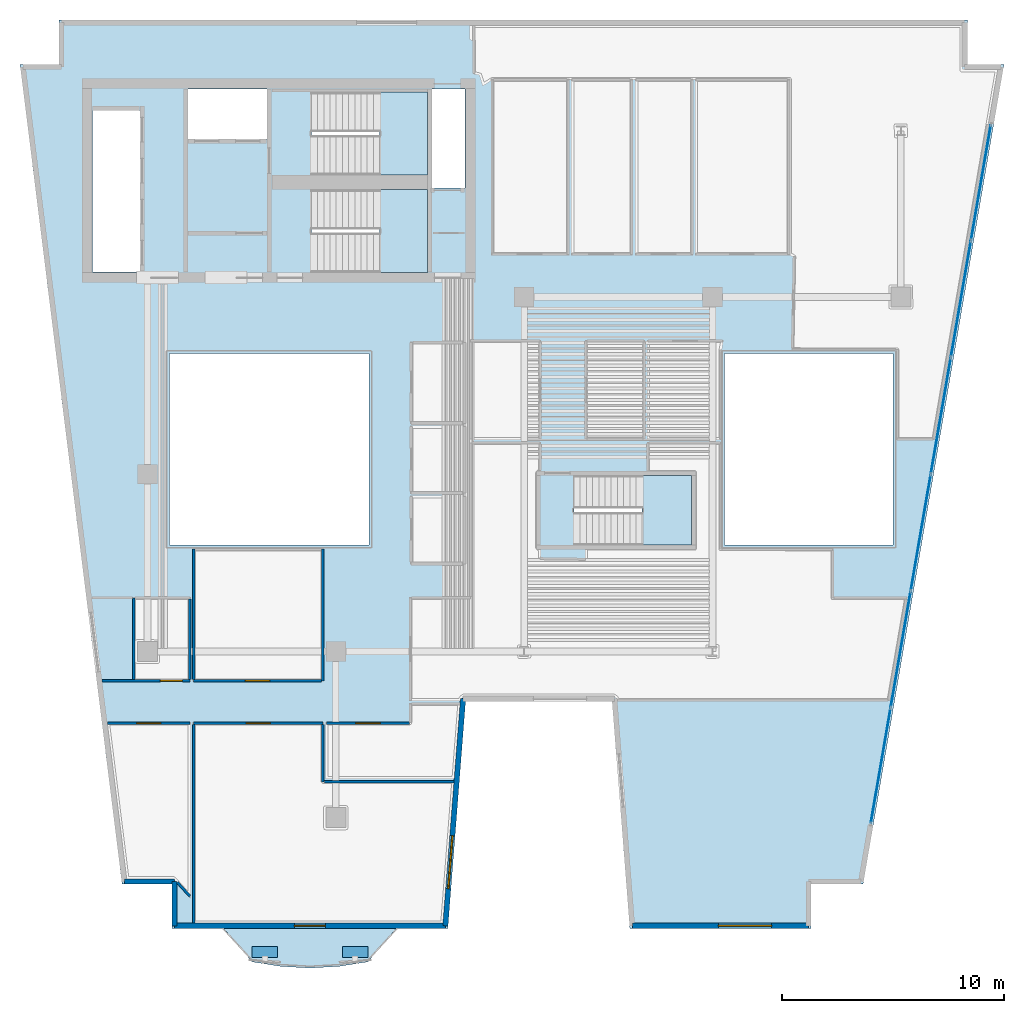
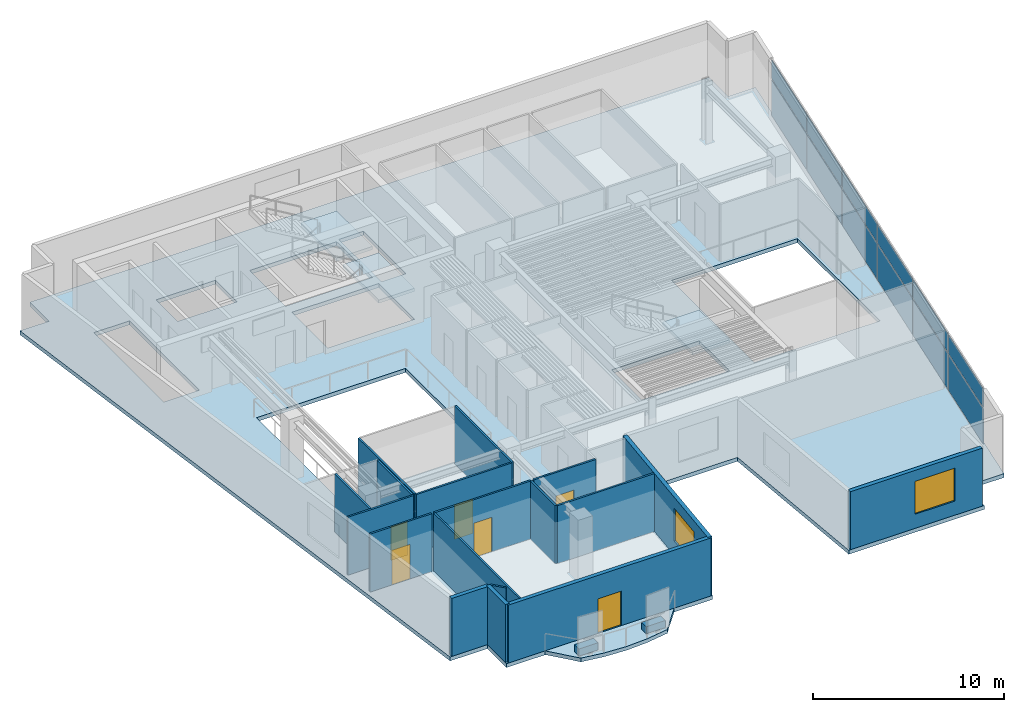
# One storey, part 3 of 10: 18 walls, 14 plates, 6 doors, 5 slabs, 2 windows, 8 openings, 4 elements without a shape of their own.
"""IFC4 building model written with IfcOpenShell, lengths in metres."""

from ifc_helpers import new_model, si_unit, direction, frame, frame_2d, origin, origin_2d, place, context, subcontext, project, spatial, polyline, rectangle, outline, extrude, material, layer, layer_set, type_object, element, fill, aggregate, save


model = new_model("IFC4")

# Units and contexts
model_context = context("Model", 3, precision=1e-05, world=origin(), true_north=direction((0.0, 1.0)))
body_context = subcontext(model_context, "Body", "Model", "MODEL_VIEW")
ifc_project = project(units=[si_unit("LENGTHUNIT", "METRE"), si_unit("AREAUNIT", "SQUARE_METRE"), si_unit("VOLUMEUNIT", "CUBIC_METRE"), si_unit("PLANEANGLEUNIT", "RADIAN"), si_unit("MASSUNIT", "GRAM", prefix="KILO")], contexts=[model_context])

# Site, building, storey
site_placement = place(None, origin())
site = spatial("IfcSite", under=ifc_project, at=site_placement, CompositionType="ELEMENT")
building_placement = place(site_placement, origin())
building = spatial("IfcBuilding", under=site, at=building_placement, Name="Caeloran Harvest Quay", CompositionType="ELEMENT")
storey_placement = place(building_placement, frame((0.0, 0.0, 223.25)))
storey = spatial("IfcBuildingStorey", under=building, at=storey_placement, Name="L53", CompositionType="ELEMENT", Elevation=223.25)

# Slab
ifc_material_1 = material(Name="Concrete C50/60", Category="concrete")
ifc_layer_1 = layer(ifc_material_1, 0.239990234375, Name="Concrete C50/60")
ifc_layer_set_1 = layer_set([ifc_layer_1], Name="Concrete C50/60")
slab_type_1 = type_object("IfcSlabType", Name="BALCONY-BL-240", PredefinedType="FLOOR", material=ifc_layer_set_1)
slab_1_placement = place(storey_placement, frame((0.0, 0.0, -0.239990234375)))
element("IfcSlab", 1, at=slab_1_placement, inside=storey, type_object=slab_type_1, Name="L53 Scalloped Cantilevered Planted Balcony Slab", PredefinedType="FLOOR", context=body_context, shape_type="SweptSolid", body=[
    extrude(outline(polyline([(18.442138671875, 0.992919921875), (17.13818359375, 0.789794921875), (15.83447265625, 0.7158203125), (14.53076171875, 0.789794921875), (13.226806640625, 0.992919921875), (11.940185546875, 2.5), (19.72900390625, 2.5), (18.442138671875, 0.992919921875)])), origin(), (0.0, 0.0, 1.0), 0.239990234375),
])

# Curtain wall, plates
ifc_material_2 = material(Name="Aluminium 6063-T6 and Low-E Glazing", Category="aluminium")
ifc_layer_2 = layer(ifc_material_2, 0.2099609375, Name="Aluminium 6063-T6 and Low-E Glazing")
ifc_layer_set_2 = layer_set([ifc_layer_2], Name="Aluminium 6063-T6 and Low-E Glazing")
curtain_wall_type = type_object("IfcCurtainWallType", Name="CW-SYS-CW-4", PredefinedType="USERDEFINED", material=ifc_layer_set_2)
curtain_wall_placement = place(storey_placement, origin())
curtain_wall = element("IfcCurtainWall", 2, at=curtain_wall_placement, inside=storey, type_object=curtain_wall_type, Name="L53 Unitised Curtain Wall CW-4 Run 9", ObjectType="CURTAIN_WALL", PredefinedType="USERDEFINED")
ifc_material_3 = material(Name="Low-E Double Glazed Vision Glass Unit", Category="glass")
ifc_layer_3 = layer(ifc_material_3, 0.035888671875, Name="Low-E Double Glazed Vision Glass Unit")
ifc_layer_set_3 = layer_set([ifc_layer_3], Name="Low-E Double Glazed Vision Glass Unit")
plate_type_1 = type_object("IfcPlateType", Name="CW-VISION-PANEL", PredefinedType="CURTAIN_PANEL", material=ifc_layer_set_3)
plate_1_placement = place(storey_placement, frame((46.116943359375, 36.16162109375, 0.080078125), z_axis=(0.0, 0.0, 1.0), x_axis=(-0.169391215605, -0.985548890759, 0.0)))
plate_1 = element("IfcPlate", 3, at=plate_1_placement, type_object=plate_type_1, Name="CW-4 panel 1.1", PredefinedType="CURTAIN_PANEL", context=body_context, shape_type="SweptSolid", body=[
    extrude(rectangle(XDim=5.229736328125, YDim=0.035888671875, at=origin_2d()), origin(), (0.0, 0.0, 1.0), 2.280029296875),
])
plate_2_placement = place(storey_placement, frame((46.116943359375, 36.16162109375, 2.43994140625), z_axis=(0.0, 0.0, 1.0), x_axis=(-0.169391215605, -0.985548890759, 0.0)))
plate_2 = element("IfcPlate", 4, at=plate_2_placement, type_object=plate_type_1, Name="CW-4 panel 1.2", PredefinedType="CURTAIN_PANEL", context=body_context, shape_type="SweptSolid", body=[
    extrude(rectangle(XDim=5.229736328125, YDim=0.035888671875, at=origin_2d()), origin(), (0.0, 0.0, 1.0), 1.179931640625),
])
plate_3_placement = place(storey_placement, frame((45.214111328125, 30.90869140625, 0.080078125), z_axis=(0.0, 0.0, 1.0), x_axis=(-0.169391215605, -0.985548890759, 0.0)))
plate_3 = element("IfcPlate", 5, at=plate_3_placement, type_object=plate_type_1, Name="CW-4 panel 2.1", PredefinedType="CURTAIN_PANEL", context=body_context, shape_type="SweptSolid", body=[
    extrude(rectangle(XDim=5.269775390625, YDim=0.035888671875, at=origin_2d()), origin(), (0.0, 0.0, 1.0), 2.280029296875),
])
plate_4_placement = place(storey_placement, frame((45.214111328125, 30.90869140625, 2.43994140625), z_axis=(0.0, 0.0, 1.0), x_axis=(-0.169391215605, -0.985548890759, 0.0)))
plate_4 = element("IfcPlate", 6, at=plate_4_placement, type_object=plate_type_1, Name="CW-4 panel 2.2", PredefinedType="CURTAIN_PANEL", context=body_context, shape_type="SweptSolid", body=[
    extrude(rectangle(XDim=5.269775390625, YDim=0.035888671875, at=origin_2d()), origin(), (0.0, 0.0, 1.0), 1.179931640625),
])
plate_5_placement = place(storey_placement, frame((44.307861328125, 25.63623046875, 0.080078125), z_axis=(0.0, 0.0, 1.0), x_axis=(-0.169391215605, -0.985548890759, 0.0)))
plate_5 = element("IfcPlate", 7, at=plate_5_placement, type_object=plate_type_1, Name="CW-4 panel 3.1", PredefinedType="CURTAIN_PANEL", context=body_context, shape_type="SweptSolid", body=[
    extrude(rectangle(XDim=5.269775390625, YDim=0.035888671875, at=origin_2d()), origin(), (0.0, 0.0, 1.0), 2.280029296875),
])
plate_6_placement = place(storey_placement, frame((44.307861328125, 25.63623046875, 2.43994140625), z_axis=(0.0, 0.0, 1.0), x_axis=(-0.169391215605, -0.985548890759, 0.0)))
plate_6 = element("IfcPlate", 8, at=plate_6_placement, type_object=plate_type_1, Name="CW-4 panel 3.2", PredefinedType="CURTAIN_PANEL", context=body_context, shape_type="SweptSolid", body=[
    extrude(rectangle(XDim=5.269775390625, YDim=0.035888671875, at=origin_2d()), origin(), (0.0, 0.0, 1.0), 1.179931640625),
])
plate_7_placement = place(storey_placement, frame((43.401611328125, 20.36376953125, 0.080078125), z_axis=(0.0, 0.0, 1.0), x_axis=(-0.169391215605, -0.985548890759, 0.0)))
plate_7 = element("IfcPlate", 9, at=plate_7_placement, type_object=plate_type_1, Name="CW-4 panel 4.1", PredefinedType="CURTAIN_PANEL", context=body_context, shape_type="SweptSolid", body=[
    extrude(rectangle(XDim=5.269775390625, YDim=0.035888671875, at=origin_2d()), origin(), (0.0, 0.0, 1.0), 2.280029296875),
])
plate_8_placement = place(storey_placement, frame((43.401611328125, 20.36376953125, 2.43994140625), z_axis=(0.0, 0.0, 1.0), x_axis=(-0.169391215605, -0.985548890759, 0.0)))
plate_8 = element("IfcPlate", 10, at=plate_8_placement, type_object=plate_type_1, Name="CW-4 panel 4.2", PredefinedType="CURTAIN_PANEL", context=body_context, shape_type="SweptSolid", body=[
    extrude(rectangle(XDim=5.269775390625, YDim=0.035888671875, at=origin_2d()), origin(), (0.0, 0.0, 1.0), 1.179931640625),
])
plate_9_placement = place(storey_placement, frame((42.495361328125, 15.09130859375, 0.080078125), z_axis=(0.0, 0.0, 1.0), x_axis=(-0.169391215605, -0.985548890759, 0.0)))
plate_9 = element("IfcPlate", 11, at=plate_9_placement, type_object=plate_type_1, Name="CW-4 panel 5.1", PredefinedType="CURTAIN_PANEL", context=body_context, shape_type="SweptSolid", body=[
    extrude(rectangle(XDim=5.269775390625, YDim=0.035888671875, at=origin_2d()), origin(), (0.0, 0.0, 1.0), 2.280029296875),
])
plate_10_placement = place(storey_placement, frame((42.495361328125, 15.09130859375, 2.43994140625), z_axis=(0.0, 0.0, 1.0), x_axis=(-0.169391215605, -0.985548890759, 0.0)))
plate_10 = element("IfcPlate", 12, at=plate_10_placement, type_object=plate_type_1, Name="CW-4 panel 5.2", PredefinedType="CURTAIN_PANEL", context=body_context, shape_type="SweptSolid", body=[
    extrude(rectangle(XDim=5.269775390625, YDim=0.035888671875, at=origin_2d()), origin(), (0.0, 0.0, 1.0), 1.179931640625),
])
plate_11_placement = place(storey_placement, frame((41.592529296875, 9.83837890625, 0.080078125), z_axis=(0.0, 0.0, 1.0), x_axis=(-0.169391215605, -0.985548890759, 0.0)))
plate_11 = element("IfcPlate", 13, at=plate_11_placement, type_object=plate_type_1, Name="CW-4 panel 6.1", PredefinedType="CURTAIN_PANEL", context=body_context, shape_type="SweptSolid", body=[
    extrude(rectangle(XDim=5.229736328125, YDim=0.035888671875, at=origin_2d()), origin(), (0.0, 0.0, 1.0), 2.280029296875),
])
plate_12_placement = place(storey_placement, frame((41.592529296875, 9.83837890625, 2.43994140625), z_axis=(0.0, 0.0, 1.0), x_axis=(-0.169391215605, -0.985548890759, 0.0)))
plate_12 = element("IfcPlate", 14, at=plate_12_placement, type_object=plate_type_1, Name="CW-4 panel 6.2", PredefinedType="CURTAIN_PANEL", context=body_context, shape_type="SweptSolid", body=[
    extrude(rectangle(XDim=5.229736328125, YDim=0.035888671875, at=origin_2d()), origin(), (0.0, 0.0, 1.0), 1.179931640625),
])
aggregate(curtain_wall, [plate_1, plate_2, plate_3, plate_4, plate_5, plate_6, plate_7, plate_8, plate_9, plate_10, plate_11, plate_12])

# Plates
ifc_material_4 = material(Name="Precast concrete C50/60", Category="concrete")
ifc_layer_4 = layer(ifc_material_4, 0.449951171875, Name="Precast concrete C50/60")
ifc_layer_set_4 = layer_set([ifc_layer_4], Name="Precast concrete C50/60")
plate_type_2 = type_object("IfcPlateType", Name="PLANTER-TROUGH-450", PredefinedType="USERDEFINED", material=ifc_layer_set_4)
for number, where, z_axis, x_axis, name in (
    (15, (17.868408203125, 1.439208984375, 0.0), (0.0, 0.0, 1.0), (1.0, 0.0, 0.0), "L53 Balcony Vertical-Greenery Precast PLANTER Trough 1"),
    (16, (13.800537109375, 1.439208984375, 0.0), (0.0, 0.0, 1.0), (1.0, 0.0, 0.0), "L53 Balcony Vertical-Greenery Precast PLANTER Trough 2"),
):
    element("IfcPlate", number, at=place(storey_placement, frame(where, z_axis=z_axis, x_axis=x_axis)), inside=storey, type_object=plate_type_2, Name=name, ObjectType="PLANTER", PredefinedType="USERDEFINED", context=body_context, shape_type="SweptSolid", body=[
        extrude(rectangle(XDim=1.14990234375, YDim=0.47998046875, at=origin_2d()), origin(), (0.0, 0.0, 1.0), 0.449951171875),
    ])

# Slab
ifc_layer_5 = layer(ifc_material_1, 0.25, Name="Concrete C50/60")
ifc_layer_set_5 = layer_set([ifc_layer_5], Name="Concrete C50/60")
slab_type_2 = type_object("IfcSlabType", Name="SLAB-FS-250", PredefinedType="FLOOR", material=ifc_layer_set_5)
slab_2_placement = place(storey_placement, frame((0.0, 0.0, -0.25)))
element("IfcSlab", 17, at=slab_2_placement, inside=storey, type_object=slab_type_2, Name="L53 Structural Floor Slab", PredefinedType="FLOOR", context=body_context, shape_type="SweptSolid", body=[
    extrude(outline(polyline([(9.60302734375, 2.5), (22.056884765625, 2.5), (22.85693359375, 12.75), (29.469482421875, 12.75), (30.26953125, 2.5), (38.452880859375, 2.5), (38.452880859375, 4.5), (40.796875, 4.5), (47.15625, 41.5), (45.5, 41.5), (45.5, 43.5), (4.5, 43.5), (4.5, 41.5), (2.748779296875, 41.5), (7.35400390625, 4.5), (9.60302734375, 4.5), (9.60302734375, 2.5)]), holes=[polyline([(27.75, 19.800048828125), (27.75, 22.949951171875), (33.050048828125, 22.949951171875), (33.050048828125, 19.800048828125), (27.75, 19.800048828125)]), polyline([(18.5, 19.800048828125), (9.5, 19.800048828125), (9.5, 28.449951171875), (18.5, 28.449951171875), (18.5, 19.800048828125)]), polyline([(42.14990234375, 19.800048828125), (34.550048828125, 19.800048828125), (34.550048828125, 28.449951171875), (42.14990234375, 28.449951171875), (42.14990234375, 19.800048828125)]), polyline([(15.89990234375, 32.10009765625), (15.89990234375, 35.85009765625), (21.14990234375, 35.85009765625), (21.14990234375, 32.10009765625), (15.89990234375, 32.10009765625)]), polyline([(8.159912109375, 32.1201171875), (6.02001953125, 32.1201171875), (6.02001953125, 39.419921875), (8.159912109375, 39.419921875), (8.159912109375, 32.1201171875)]), polyline([(22.830078125, 35.919921875), (21.35009765625, 35.919921875), (21.35009765625, 40.3798828125), (22.830078125, 40.3798828125), (22.830078125, 35.919921875)]), polyline([(15.89990234375, 36.5), (15.89990234375, 40.25), (21.14990234375, 40.25), (21.14990234375, 36.5), (15.89990234375, 36.5)]), polyline([(13.89990234375, 38.1201171875), (10.320068359375, 38.1201171875), (10.320068359375, 40.3798828125), (13.89990234375, 40.3798828125), (13.89990234375, 38.1201171875)])]), origin(), (0.0, 0.0, 1.0), 0.25),
])

# Stair, slab
stair_type_1 = type_object("IfcStairType", Name="STAIR-STC-180", PredefinedType="HALF_TURN_STAIR", material=ifc_material_1)
stair_1_placement = place(storey_placement, origin())
stair_1 = element("IfcStair", 18, at=stair_1_placement, inside=storey, type_object=stair_type_1, Name="L53 Core Pressurized Exit Stair ST-C1", PredefinedType="HALF_TURN_STAIR")
ifc_layer_6 = layer(ifc_material_1, 0.219970703125, Name="Concrete C50/60")
ifc_layer_set_6 = layer_set([ifc_layer_6], Name="Concrete C50/60")
slab_type_3 = type_object("IfcSlabType", Name="STAIR-LANDING-220", PredefinedType="LANDING", material=ifc_layer_set_6)
slab_3_placement = place(storey_placement, frame((0.0, 0.0, 1.77490234375)))
slab_3 = element("IfcSlab", 19, at=slab_3_placement, type_object=slab_type_3, Name="ST-C1 landing 1", PredefinedType="LANDING", context=body_context, shape_type="SweptSolid", body=[
    extrude(outline(polyline([(18.97998046875, 36.5), (21.14990234375, 36.5), (21.14990234375, 40.25), (18.97998046875, 40.25), (18.97998046875, 36.5)])), origin(), (0.0, 0.0, 1.0), 0.2001953125),
])
aggregate(stair_1, [slab_3])

stair_2_placement = place(storey_placement, origin())
stair_2 = element("IfcStair", 20, at=stair_2_placement, inside=storey, type_object=stair_type_1, Name="L53 Core Pressurized Exit Stair ST-C2", PredefinedType="HALF_TURN_STAIR")
slab_4_placement = place(storey_placement, frame((0.0, 0.0, 1.77490234375)))
slab_4 = element("IfcSlab", 21, at=slab_4_placement, type_object=slab_type_3, Name="ST-C2 landing 1", PredefinedType="LANDING", context=body_context, shape_type="SweptSolid", body=[
    extrude(outline(polyline([(18.97998046875, 32.10009765625), (21.14990234375, 32.10009765625), (21.14990234375, 35.85009765625), (18.97998046875, 35.85009765625), (18.97998046875, 32.10009765625)])), origin(), (0.0, 0.0, 1.0), 0.2001953125),
])
aggregate(stair_2, [slab_4])

stair_type_2 = type_object("IfcStairType", Name="STAIR-STW-150", PredefinedType="HALF_TURN_STAIR", material=ifc_material_1)
stair_3_placement = place(storey_placement, origin())
stair_3 = element("IfcStair", 22, at=stair_3_placement, inside=storey, type_object=stair_type_2, Name="L53 East Wing Protected Exit Stair ST-W1", PredefinedType="HALF_TURN_STAIR")
slab_5_placement = place(storey_placement, frame((0.0, 0.0, 1.77490234375)))
slab_5 = element("IfcSlab", 23, at=slab_5_placement, type_object=slab_type_3, Name="ST-W1 landing 1", PredefinedType="LANDING", context=body_context, shape_type="SweptSolid", body=[
    extrude(outline(polyline([(30.830078125, 19.800048828125), (33.050048828125, 19.800048828125), (33.050048828125, 22.949951171875), (30.830078125, 22.949951171875), (30.830078125, 19.800048828125)])), origin(), (0.0, 0.0, 1.0), 0.2001953125),
])
aggregate(stair_3, [slab_5])

# Walls
ifc_layer_7 = layer(ifc_material_4, 0.239990234375, Name="Precast concrete C50/60")
ifc_layer_set_7 = layer_set([ifc_layer_7], Name="Precast concrete C50/60")
wall_type_1 = type_object("IfcWallType", Name="ENV-WALL-EW-240", PredefinedType="STANDARD", material=ifc_layer_set_7)
wall_1_placement = place(storey_placement, frame((9.722900390625, 2.6201171875, 0.0), z_axis=(0.0, 0.0, 1.0), x_axis=(0.0, 1.0, 0.0)))
element("IfcWall", 24, at=wall_1_placement, inside=storey, type_object=wall_type_1, Name="L53 Exterior Precast Concrete Facade Wall 1", PredefinedType="STANDARD", context=body_context, shape_type="SweptSolid", body=[
    extrude(rectangle(XDim=2.0, YDim=0.239990234375, at=frame_2d((1.0, 0.0))), origin(), (0.0, 0.0, 1.0), 3.699951171875),
])
wall_2_placement = place(storey_placement, frame((9.722900390625, 4.6201171875, 0.0), z_axis=(0.0, 0.0, 1.0), x_axis=(-1.0, 0.0, 0.0)))
element("IfcWall", 25, at=wall_2_placement, inside=storey, type_object=wall_type_1, Name="L53 Exterior Precast Concrete Facade Wall 2", PredefinedType="STANDARD", context=body_context, shape_type="SweptSolid", body=[
    extrude(rectangle(XDim=2.2626953125, YDim=0.239990234375, at=frame_2d((1.13134765625, 0.0))), origin(), (0.0, 0.0, 1.0), 3.699951171875),
])

# Wall, opening, window
wall_3_placement = place(storey_placement, frame((38.3330078125, 2.6201171875, 0.0), z_axis=(0.0, 0.0, 1.0), x_axis=(-1.0, 0.0, 0.0)))
wall_3 = element("IfcWall", 26, at=wall_3_placement, inside=storey, type_object=wall_type_1, Name="L53 Exterior Precast Concrete Facade Wall 12", PredefinedType="STANDARD", context=body_context, shape_type="SweptSolid", body=[
    extrude(rectangle(XDim=7.952392578125, YDim=0.239990234375, at=frame_2d((3.97607421875, 0.0))), origin(), (0.0, 0.0, 1.0), 3.699951171875),
])
opening_1_placement = place(wall_3_placement, frame((1.6630859375, 0.0, 0.89990234375)))
opening_1 = element("IfcOpeningElement", 27, at=opening_1_placement, cuts=wall_3, Name="Opening W-02", PredefinedType="OPENING", context=body_context, shape_type="SweptSolid", body=[
    extrude(rectangle(XDim=2.39990234375, YDim=2.10009765625, at=frame_2d((1.199951171875, 1.050048828125))), frame((0.0, 0.1298828125, 0.0), z_axis=(0.0, -1.0, 0.0), x_axis=(1.0, 0.0, 0.0)), (0.0, 0.0, 1.0), 0.260009765625),
])
ifc_material_5 = material(Name="Aluminium-Framed Low-E Laminated Glass", Category="aluminium")
window_type = type_object("IfcWindowType", Name="WIN-W-02", PartitioningType="DOUBLE_PANEL_VERTICAL", PredefinedType="WINDOW", material=ifc_material_5)
window_1_placement = place(opening_1_placement, origin())
window_1 = element("IfcWindow", 28, at=window_1_placement, inside=storey, type_object=window_type, Name="L53 Facade Punched Window W-02", OverallHeight=2.10009765625, OverallWidth=2.39990234375, PartitioningType="DOUBLE_PANEL_VERTICAL", PredefinedType="WINDOW", context=body_context, shape_type="SweptSolid", body=[
    extrude(rectangle(XDim=2.39990234375, YDim=2.10009765625, at=frame_2d((1.199951171875, 1.050048828125))), frame((0.0, 0.030029296875, 0.0), z_axis=(0.0, -1.0, 0.0), x_axis=(1.0, 0.0, 0.0)), (0.0, 0.0, 1.0), 0.06005859375),
])
fill(opening_1, window_1)

wall_4_placement = place(storey_placement, frame((22.74609375, 12.8701171875, 0.0), z_axis=(0.0, 0.0, 1.0), x_axis=(-0.077816860153, -0.996967670627, 0.0)))
wall_4 = element("IfcWall", 29, at=wall_4_placement, inside=storey, type_object=wall_type_1, Name="L53 Exterior Precast Concrete Facade Wall 15", PredefinedType="STANDARD", context=body_context, shape_type="SweptSolid", body=[
    extrude(rectangle(XDim=10.28125, YDim=0.239990234375, at=frame_2d((5.140625, 0.0))), origin(), (0.0, 0.0, 1.0), 3.699951171875),
])
opening_2_placement = place(wall_4_placement, frame((6.201904296875, 0.0, 0.89990234375)))
opening_2 = element("IfcOpeningElement", 30, at=opening_2_placement, cuts=wall_4, Name="Opening W-02", PredefinedType="OPENING", context=body_context, shape_type="SweptSolid", body=[
    extrude(rectangle(XDim=2.39990234375, YDim=2.10009765625, at=frame_2d((1.199951171875, 1.050048828125))), frame((0.0, 0.1298828125, 0.0), z_axis=(0.0, -1.0, 0.0), x_axis=(1.0, 0.0, 0.0)), (0.0, 0.0, 1.0), 0.260009765625),
])
window_2_placement = place(opening_2_placement, origin())
window_2 = element("IfcWindow", 31, at=window_2_placement, inside=storey, type_object=window_type, Name="L53 Facade Punched Window W-02", OverallHeight=2.10009765625, OverallWidth=2.39990234375, PartitioningType="DOUBLE_PANEL_VERTICAL", PredefinedType="WINDOW", context=body_context, shape_type="SweptSolid", body=[
    extrude(rectangle(XDim=2.39990234375, YDim=2.10009765625, at=frame_2d((1.199951171875, 1.050048828125))), frame((0.0, 0.030029296875, 0.0), z_axis=(0.0, -1.0, 0.0), x_axis=(1.0, 0.0, 0.0)), (0.0, 0.0, 1.0), 0.06005859375),
])
fill(opening_2, window_2)

# Wall, opening, door
wall_5_placement = place(storey_placement, frame((21.946044921875, 2.6201171875, 0.0), z_axis=(0.0, 0.0, 1.0), x_axis=(-1.0, 0.0, 0.0)))
wall_5 = element("IfcWall", 32, at=wall_5_placement, inside=storey, type_object=wall_type_1, Name="L53 Exterior Precast Concrete Facade Wall 16", PredefinedType="STANDARD", context=body_context, shape_type="SweptSolid", body=[
    extrude(rectangle(XDim=12.22314453125, YDim=0.239990234375, at=frame_2d((6.111572265625, 0.0))), origin(), (0.0, 0.0, 1.0), 3.699951171875),
])
opening_3_placement = place(wall_5_placement, frame((5.410888671875, 0.0, 0.0)))
opening_3 = element("IfcOpeningElement", 33, at=opening_3_placement, cuts=wall_5, Name="Opening BD-02", PredefinedType="OPENING", context=body_context, shape_type="SweptSolid", body=[
    extrude(rectangle(XDim=1.39990234375, YDim=2.199951171875, at=frame_2d((0.699951171875, 1.10009765625))), frame((0.0, 0.1298828125, 0.0), z_axis=(0.0, -1.0, 0.0), x_axis=(1.0, 0.0, 0.0)), (0.0, 0.0, 1.0), 0.260009765625),
])
ifc_material_6 = material(Name="Thermally Broken Powder-Coated Aluminium and Safety Glass", Category="aluminium")
door_type_1 = type_object("IfcDoorType", Name="EXTDOOR-BD-02", OperationType="NOTDEFINED", PredefinedType="DOOR", material=ifc_material_6)
door_1_placement = place(opening_3_placement, origin())
door_1 = element("IfcDoor", 34, at=door_1_placement, inside=storey, type_object=door_type_1, Name="L53 Planted Balcony Glazed Access Door", OperationType="SINGLE_SWING_RIGHT", OverallHeight=2.199951171875, OverallWidth=1.39990234375, PredefinedType="DOOR", context=body_context, shape_type="SweptSolid", body=[
    extrude(rectangle(XDim=1.39990234375, YDim=2.199951171875, at=frame_2d((0.699951171875, 1.10009765625))), frame((0.0, 0.02490234375, 0.0), z_axis=(0.0, -1.0, 0.0), x_axis=(1.0, 0.0, 0.0)), (0.0, 0.0, 1.0), 0.050048828125),
])
fill(opening_3, door_1)

ifc_material_7 = material(Name="Single-Stud Acoustic Gypsum Office Partition", Category="gypsum")
ifc_layer_8 = layer(ifc_material_7, 0.112060546875, Name="Single-Stud Acoustic Gypsum Office Partition")
ifc_layer_set_8 = layer_set([ifc_layer_8], Name="Single-Stud Acoustic Gypsum Office Partition")
wall_type_2 = type_object("IfcWallType", Name="INT-WALL-PW-112", PredefinedType="PARTITIONING", material=ifc_layer_set_8)
wall_6_placement = place(storey_placement, frame((10.580078125, 11.77001953125, 0.0), z_axis=(0.0, 0.0, 1.0), x_axis=(1.0, 0.0, 0.0)))
wall_6 = element("IfcWall", 35, at=wall_6_placement, inside=storey, type_object=wall_type_2, Name="Clean-Tech Venture Studio Partition Wall", PredefinedType="PARTITIONING", context=body_context, shape_type="SweptSolid", body=[
    extrude(rectangle(XDim=5.83984375, YDim=0.112060546875, at=frame_2d((2.919921875, 0.0))), origin(), (0.0, 0.0, 1.0), 3.699951171875),
])
opening_4_placement = place(wall_6_placement, frame((2.3701171875, 0.0, 0.0)))
opening_4 = element("IfcOpeningElement", 36, at=opening_4_placement, cuts=wall_6, Name="Opening ID-04", PredefinedType="OPENING", context=body_context, shape_type="SweptSolid", body=[
    extrude(rectangle(XDim=1.10009765625, YDim=2.199951171875, at=frame_2d((0.550048828125, 1.10009765625))), frame((0.0, 0.06591796875, 0.0), z_axis=(0.0, -1.0, 0.0), x_axis=(1.0, 0.0, 0.0)), (0.0, 0.0, 1.0), 0.132080078125),
])
ifc_material_8 = material(Name="Acoustic Walnut Veneer Executive Door", Category="wood")
door_type_2 = type_object("IfcDoorType", Name="INTDOOR-ID-04", OperationType="NOTDEFINED", PredefinedType="DOOR", material=ifc_material_8)
door_2_placement = place(opening_4_placement, origin())
door_2 = element("IfcDoor", 37, at=door_2_placement, inside=storey, type_object=door_type_2, Name="Clean-Tech Venture Studio Access Door", OperationType="SINGLE_SWING_RIGHT", OverallHeight=2.199951171875, OverallWidth=1.10009765625, PredefinedType="DOOR", context=body_context, shape_type="SweptSolid", body=[
    extrude(rectangle(XDim=1.10009765625, YDim=2.199951171875, at=frame_2d((0.550048828125, 1.10009765625))), frame((0.0, 0.02490234375, 0.0), z_axis=(0.0, -1.0, 0.0), x_axis=(1.0, 0.0, 0.0)), (0.0, 0.0, 1.0), 0.050048828125),
])
fill(opening_4, door_2)

# Walls
wall_7_placement = place(storey_placement, frame((16.419921875, 11.708984375, 0.0), z_axis=(0.0, 0.0, 1.0), x_axis=(0.0, -1.0, 0.0)))
element("IfcWall", 38, at=wall_7_placement, inside=storey, type_object=wall_type_2, Name="Clean-Tech Venture Studio Partition Wall", PredefinedType="PARTITIONING", context=body_context, shape_type="SweptSolid", body=[
    extrude(rectangle(XDim=2.5888671875, YDim=0.112060546875, at=frame_2d((1.29443359375, 0.0))), origin(), (0.0, 0.0, 1.0), 3.699951171875),
])
wall_8_placement = place(storey_placement, frame((16.48095703125, 9.1201171875, 0.0), z_axis=(0.0, 0.0, 1.0), x_axis=(1.0, 0.0, 0.0)))
element("IfcWall", 39, at=wall_8_placement, inside=storey, type_object=wall_type_2, Name="Clean-Tech Venture Studio Partition Wall", PredefinedType="PARTITIONING", context=body_context, shape_type="SweptSolid", body=[
    extrude(rectangle(XDim=5.846923828125, YDim=0.112060546875, at=frame_2d((2.92333984375, 0.0))), origin(), (0.0, 0.0, 1.0), 3.699951171875),
])
wall_9_placement = place(storey_placement, frame((10.580078125, 2.7451171875, 0.0), z_axis=(0.0, 0.0, 1.0), x_axis=(0.0, 1.0, 0.0)))
element("IfcWall", 40, at=wall_9_placement, inside=storey, type_object=wall_type_2, Name="Clean-Tech Venture Studio Partition Wall", PredefinedType="PARTITIONING", context=body_context, shape_type="SweptSolid", body=[
    extrude(rectangle(XDim=8.9638671875, YDim=0.112060546875, at=frame_2d((4.48193359375, 0.0))), origin(), (0.0, 0.0, 1.0), 3.699951171875),
])
wall_10_placement = place(storey_placement, frame((10.419921875, 3.955078125, 0.0), z_axis=(0.0, 0.0, 1.0), x_axis=(-0.671145806114, 0.741325371841, 0.0)))
element("IfcWall", 41, at=wall_10_placement, inside=storey, type_object=wall_type_2, Name="Portfolio Catering Kitchen Partition Wall", PredefinedType="PARTITIONING", context=body_context, shape_type="SweptSolid", body=[
    extrude(rectangle(XDim=0.852294921875, YDim=0.112060546875, at=frame_2d((0.42626953125, 0.0))), origin(), (0.0, 0.0, 1.0), 3.699951171875),
])

# Wall, opening, door
wall_11_placement = place(storey_placement, frame((6.696044921875, 11.77001953125, 0.0), z_axis=(0.0, 0.0, 1.0), x_axis=(1.0, 0.0, 0.0)))
wall_11 = element("IfcWall", 42, at=wall_11_placement, inside=storey, type_object=wall_type_2, Name="Portfolio Catering Kitchen Partition Wall", PredefinedType="PARTITIONING", context=body_context, shape_type="SweptSolid", body=[
    extrude(rectangle(XDim=3.723876953125, YDim=0.112060546875, at=frame_2d((1.86181640625, 0.0))), origin(), (0.0, 0.0, 1.0), 3.699951171875),
])
opening_5_placement = place(wall_11_placement, frame((1.31201171875, 0.0, 0.0)))
opening_5 = element("IfcOpeningElement", 43, at=opening_5_placement, cuts=wall_11, Name="Opening ID-04", PredefinedType="OPENING", context=body_context, shape_type="SweptSolid", body=[
    extrude(rectangle(XDim=1.10009765625, YDim=2.199951171875, at=frame_2d((0.550048828125, 1.10009765625))), frame((0.0, 0.06591796875, 0.0), z_axis=(0.0, -1.0, 0.0), x_axis=(1.0, 0.0, 0.0)), (0.0, 0.0, 1.0), 0.132080078125),
])
door_3_placement = place(opening_5_placement, origin())
door_3 = element("IfcDoor", 44, at=door_3_placement, inside=storey, type_object=door_type_2, Name="Portfolio Catering Kitchen Access Door", OperationType="SINGLE_SWING_LEFT", OverallHeight=2.199951171875, OverallWidth=1.10009765625, PredefinedType="DOOR", context=body_context, shape_type="SweptSolid", body=[
    extrude(rectangle(XDim=1.10009765625, YDim=2.199951171875, at=frame_2d((0.550048828125, 1.10009765625))), frame((0.0, 0.02490234375, 0.0), z_axis=(0.0, -1.0, 0.0), x_axis=(1.0, 0.0, 0.0)), (0.0, 0.0, 1.0), 0.050048828125),
])
fill(opening_5, door_3)

wall_12_placement = place(storey_placement, frame((16.580078125, 11.77001953125, 0.0), z_axis=(0.0, 0.0, 1.0), x_axis=(1.0, 0.0, 0.0)))
wall_12 = element("IfcWall", 45, at=wall_12_placement, inside=storey, type_object=wall_type_2, Name="Due-Diligence Meeting Hall Partition Wall", PredefinedType="PARTITIONING", context=body_context, shape_type="SweptSolid", body=[
    extrude(rectangle(XDim=3.739990234375, YDim=0.112060546875, at=frame_2d((1.8701171875, 0.0))), origin(), (0.0, 0.0, 1.0), 3.699951171875),
])
opening_6_placement = place(wall_12_placement, frame((1.320068359375, 0.0, 0.0)))
opening_6 = element("IfcOpeningElement", 46, at=opening_6_placement, cuts=wall_12, Name="Opening ID-04", PredefinedType="OPENING", context=body_context, shape_type="SweptSolid", body=[
    extrude(rectangle(XDim=1.10009765625, YDim=2.199951171875, at=frame_2d((0.550048828125, 1.10009765625))), frame((0.0, 0.06591796875, 0.0), z_axis=(0.0, -1.0, 0.0), x_axis=(1.0, 0.0, 0.0)), (0.0, 0.0, 1.0), 0.132080078125),
])
door_4_placement = place(opening_6_placement, origin())
door_4 = element("IfcDoor", 47, at=door_4_placement, inside=storey, type_object=door_type_2, Name="Due-Diligence Meeting Hall Access Door", OperationType="SINGLE_SWING_RIGHT", OverallHeight=2.199951171875, OverallWidth=1.10009765625, PredefinedType="DOOR", context=body_context, shape_type="SweptSolid", body=[
    extrude(rectangle(XDim=1.10009765625, YDim=2.199951171875, at=frame_2d((0.550048828125, 1.10009765625))), frame((0.0, 0.02490234375, 0.0), z_axis=(0.0, -1.0, 0.0), x_axis=(1.0, 0.0, 0.0)), (0.0, 0.0, 1.0), 0.050048828125),
])
fill(opening_6, door_4)

wall_13_placement = place(storey_placement, frame((10.419921875, 13.679931640625, 0.0), z_axis=(0.0, 0.0, 1.0), x_axis=(-1.0, 0.0, 0.0)))
wall_13 = element("IfcWall", 48, at=wall_13_placement, inside=storey, type_object=wall_type_2, Name="General Partner Corner Office Partition Wall", PredefinedType="PARTITIONING", context=body_context, shape_type="SweptSolid", body=[
    extrude(rectangle(XDim=3.96142578125, YDim=0.112060546875, at=frame_2d((1.980712890625, 0.0))), origin(), (0.0, 0.0, 1.0), 3.699951171875),
])
opening_7_placement = place(wall_13_placement, frame((0.337646484375, 0.0, 0.0)))
opening_7 = element("IfcOpeningElement", 49, at=opening_7_placement, cuts=wall_13, Name="Opening ID-01", PredefinedType="OPENING", context=body_context, shape_type="SweptSolid", body=[
    extrude(rectangle(XDim=1.0, YDim=2.14990234375, at=frame_2d((0.5, 1.074951171875))), frame((0.0, 0.06591796875, 0.0), z_axis=(0.0, -1.0, 0.0), x_axis=(1.0, 0.0, 0.0)), (0.0, 0.0, 1.0), 0.132080078125),
])
ifc_material_9 = material(Name="FSC Solid-Core Ash Timber and Acoustic Seal", Category="wood")
door_type_3 = type_object("IfcDoorType", Name="INTDOOR-ID-01", OperationType="NOTDEFINED", PredefinedType="DOOR", material=ifc_material_9)
door_5_placement = place(opening_7_placement, origin())
door_5 = element("IfcDoor", 50, at=door_5_placement, inside=storey, type_object=door_type_3, Name="General Partner Corner Office Access Door", OperationType="SINGLE_SWING_RIGHT", OverallHeight=2.14990234375, OverallWidth=1.0, PredefinedType="DOOR", context=body_context, shape_type="SweptSolid", body=[
    extrude(rectangle(XDim=1.0, YDim=2.14990234375, at=frame_2d((0.5, 1.074951171875))), frame((0.0, 0.02490234375, 0.0), z_axis=(0.0, -1.0, 0.0), x_axis=(1.0, 0.0, 0.0)), (0.0, 0.0, 1.0), 0.050048828125),
])
fill(opening_7, door_5)

# Walls
wall_14_placement = place(storey_placement, frame((7.8798828125, 13.740966796875, 0.0), z_axis=(0.0, 0.0, 1.0), x_axis=(0.0, 1.0, 0.0)))
element("IfcWall", 51, at=wall_14_placement, inside=storey, type_object=wall_type_2, Name="General Partner Corner Office Partition Wall", PredefinedType="PARTITIONING", context=body_context, shape_type="SweptSolid", body=[
    extrude(rectangle(XDim=3.678955078125, YDim=0.112060546875, at=frame_2d((1.83935546875, 0.0))), origin(), (0.0, 0.0, 1.0), 3.699951171875),
])
wall_15_placement = place(storey_placement, frame((10.419921875, 17.35888671875, 0.0), z_axis=(0.0, 0.0, 1.0), x_axis=(0.0, -1.0, 0.0)))
element("IfcWall", 52, at=wall_15_placement, inside=storey, type_object=wall_type_2, Name="General Partner Corner Office Partition Wall", PredefinedType="PARTITIONING", context=body_context, shape_type="SweptSolid", body=[
    extrude(rectangle(XDim=3.617919921875, YDim=0.112060546875, at=frame_2d((1.80908203125, 0.0))), origin(), (0.0, 0.0, 1.0), 3.699951171875),
])
wall_16_placement = place(storey_placement, frame((16.419921875, 19.6201171875, 0.0), z_axis=(0.0, 0.0, 1.0), x_axis=(0.0, -1.0, 0.0)))
element("IfcWall", 53, at=wall_16_placement, inside=storey, type_object=wall_type_2, Name="Board Conference Room Partition Wall", PredefinedType="PARTITIONING", context=body_context, shape_type="SweptSolid", body=[
    extrude(rectangle(XDim=5.940185546875, YDim=0.112060546875, at=frame_2d((2.97021484375, 0.0))), origin(), (0.0, 0.0, 1.0), 3.699951171875),
])

# Wall, opening, door
wall_17_placement = place(storey_placement, frame((16.35888671875, 13.679931640625, 0.0), z_axis=(0.0, 0.0, 1.0), x_axis=(-1.0, 0.0, 0.0)))
wall_17 = element("IfcWall", 54, at=wall_17_placement, inside=storey, type_object=wall_type_2, Name="Board Conference Room Partition Wall", PredefinedType="PARTITIONING", context=body_context, shape_type="SweptSolid", body=[
    extrude(rectangle(XDim=5.77880859375, YDim=0.112060546875, at=frame_2d((2.889404296875, 0.0))), origin(), (0.0, 0.0, 1.0), 3.699951171875),
])
opening_8_placement = place(wall_17_placement, frame((2.339599609375, 0.0, 0.0)))
opening_8 = element("IfcOpeningElement", 55, at=opening_8_placement, cuts=wall_17, Name="Opening ID-04", PredefinedType="OPENING", context=body_context, shape_type="SweptSolid", body=[
    extrude(rectangle(XDim=1.10009765625, YDim=2.199951171875, at=frame_2d((0.550048828125, 1.10009765625))), frame((0.0, 0.06591796875, 0.0), z_axis=(0.0, -1.0, 0.0), x_axis=(1.0, 0.0, 0.0)), (0.0, 0.0, 1.0), 0.132080078125),
])
door_6_placement = place(opening_8_placement, origin())
door_6 = element("IfcDoor", 56, at=door_6_placement, inside=storey, type_object=door_type_2, Name="Board Conference Room Access Door", OperationType="SINGLE_SWING_LEFT", OverallHeight=2.199951171875, OverallWidth=1.10009765625, PredefinedType="DOOR", context=body_context, shape_type="SweptSolid", body=[
    extrude(rectangle(XDim=1.10009765625, YDim=2.199951171875, at=frame_2d((0.550048828125, 1.10009765625))), frame((0.0, 0.02490234375, 0.0), z_axis=(0.0, -1.0, 0.0), x_axis=(1.0, 0.0, 0.0)), (0.0, 0.0, 1.0), 0.050048828125),
])
fill(opening_8, door_6)

# Wall
wall_18_placement = place(storey_placement, frame((10.580078125, 13.740966796875, 0.0), z_axis=(0.0, 0.0, 1.0), x_axis=(0.0, 1.0, 0.0)))
element("IfcWall", 57, at=wall_18_placement, inside=storey, type_object=wall_type_2, Name="Board Conference Room Partition Wall", PredefinedType="PARTITIONING", context=body_context, shape_type="SweptSolid", body=[
    extrude(rectangle(XDim=5.879150390625, YDim=0.112060546875, at=frame_2d((2.939453125, 0.0))), origin(), (0.0, 0.0, 1.0), 3.699951171875),
])

save(model, "model.ifc")
